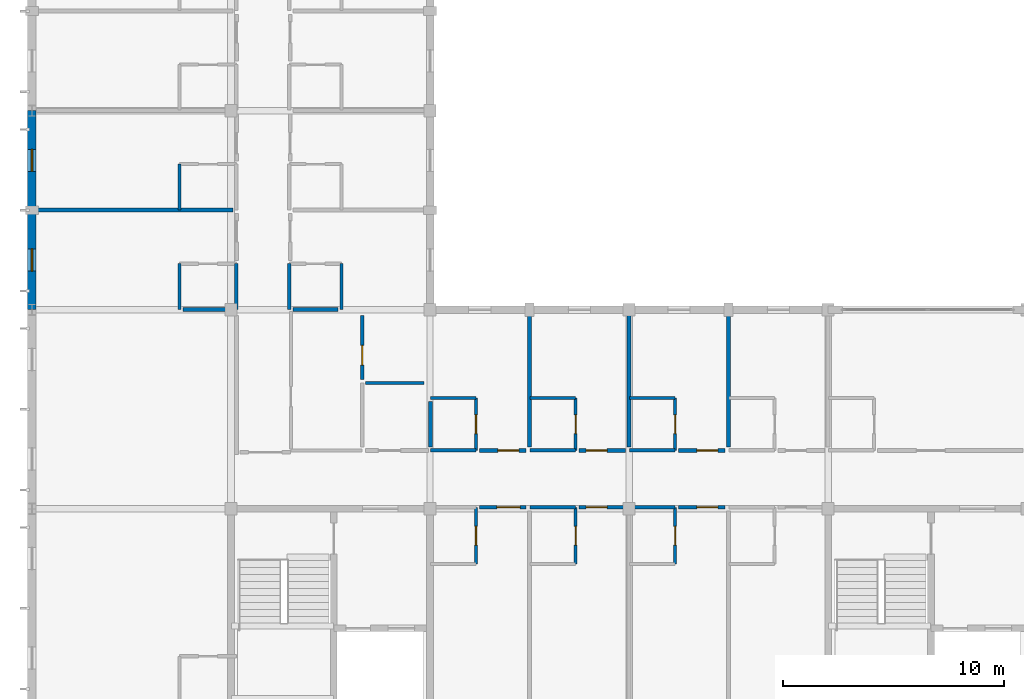
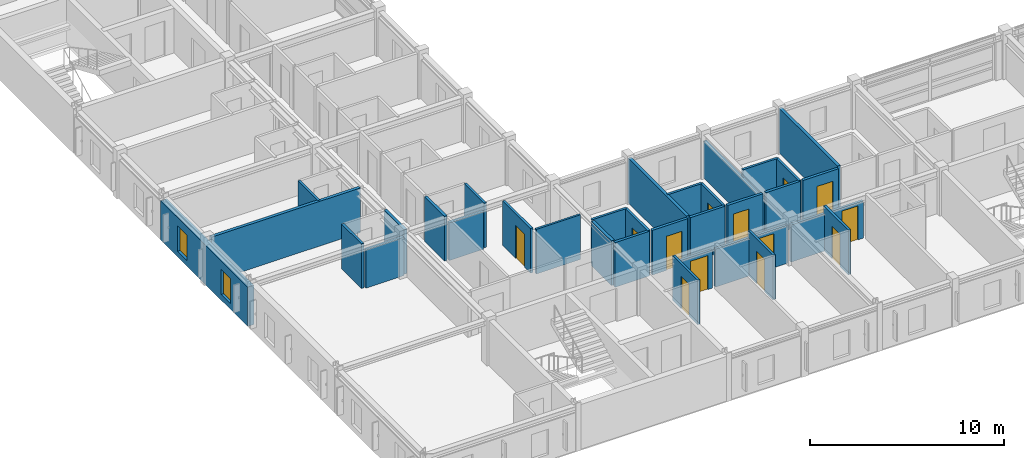
# One storey, part 15 of 30: 35 walls, 13 doors, 2 windows, 15 openings.
"""IFC4 building model written with IfcOpenShell, lengths in metres."""

from ifc_helpers import new_model, si_unit, direction, frame, frame_2d, origin, place, context, subcontext, project, spatial, rectangle, extrude, material, layer, layer_set, type_object, element, fill, save


model = new_model("IFC4")

# Units and contexts
model_context = context("Model", 3, precision=1e-05, world=origin(), true_north=direction((0.0, 1.0)))
body_context = subcontext(model_context, "Body", "Model", "MODEL_VIEW")
ifc_project = project(units=[si_unit("LENGTHUNIT", "METRE"), si_unit("AREAUNIT", "SQUARE_METRE"), si_unit("VOLUMEUNIT", "CUBIC_METRE"), si_unit("PLANEANGLEUNIT", "RADIAN"), si_unit("MASSUNIT", "GRAM", prefix="KILO")], contexts=[model_context])

# Site, building, storey
site_placement = place(None, origin())
site = spatial("IfcSite", under=ifc_project, at=site_placement, CompositionType="ELEMENT")
building_placement = place(site_placement, origin())
building = spatial("IfcBuilding", under=site, at=building_placement, Name="Palais des Congres Ocreval", CompositionType="ELEMENT")
storey_placement = place(building_placement, frame((0.0, 0.0, 14.56005859375)))
storey = spatial("IfcBuildingStorey", under=building, at=storey_placement, Name="L04", CompositionType="ELEMENT", Elevation=14.56005859375)

# Wall, opening, door
ifc_material_1 = material(Name="Moisture-resistant gypsum board")
ifc_layer_1 = layer(ifc_material_1, 0.139892578125)
ifc_layer_set_1 = layer_set([ifc_layer_1], Name="Bathroom Plumbing Chase Wall 140 Gypsum (Moisture-resistant gypsum board)")
wall_type_1 = type_object("IfcWallType", Name="Bathroom Plumbing Chase Wall 140 Gypsum", PredefinedType="PLUMBINGWALL", material=ifc_layer_set_1)
wall_1_placement = place(storey_placement, frame((20.080078125, 6.5, 0.0), z_axis=(0.0, 0.0, 1.0), x_axis=(0.0, 1.0, 0.0)))
wall_1 = element("IfcWall", 1, at=wall_1_placement, inside=storey, type_object=wall_type_1, Name="Bathroom Plumbing Wall PW03 L04", PredefinedType="PLUMBINGWALL", context=body_context, shape_type="SweptSolid", body=[
    extrude(rectangle(XDim=2.56005859375, YDim=0.139892578125, at=frame_2d((1.280029296875, 0.0))), origin(), (0.0, 0.0, 1.0), 2.81982421875),
])
opening_1_placement = place(wall_1_placement, frame((0.85498046875, 0.0, 0.0)))
opening_1 = element("IfcOpeningElement", 2, at=opening_1_placement, cuts=wall_1, Name="Opening D08", PredefinedType="OPENING", context=body_context, shape_type="SweptSolid", body=[
    extrude(rectangle(XDim=0.85009765625, YDim=2.0400390625, at=frame_2d((0.425048828125, 1.02001953125))), frame((0.0, 0.079833984375, 0.0), z_axis=(0.0, -1.0, 0.0), x_axis=(1.0, 0.0, 0.0)), (0.0, 0.0, 1.0), 0.159912109375),
])
ifc_material_2 = material(Name="Solid French oak", Category="wood")
door_type_1 = type_object("IfcDoorType", Name="En-Suite Bathroom Door 850x2040", OperationType="NOTDEFINED", PredefinedType="DOOR", material=ifc_material_2)
door_1_placement = place(opening_1_placement, origin())
door_1 = element("IfcDoor", 3, at=door_1_placement, inside=storey, type_object=door_type_1, Name="En-Suite Bathroom Door D08 L04", OperationType="SINGLE_SWING_LEFT", OverallHeight=2.0400390625, OverallWidth=0.85009765625, PredefinedType="DOOR", context=body_context, shape_type="SweptSolid", body=[
    extrude(rectangle(XDim=0.85009765625, YDim=2.0400390625, at=frame_2d((0.425048828125, 1.02001953125))), frame((0.0, 0.02490234375, 0.0), z_axis=(0.0, -1.0, 0.0), x_axis=(1.0, 0.0, 0.0)), (0.0, 0.0, 1.0), 0.050048828125),
])
fill(opening_1, door_1)

wall_2_placement = place(storey_placement, frame((24.580078125, 6.5, 0.0), z_axis=(0.0, 0.0, 1.0), x_axis=(0.0, 1.0, 0.0)))
wall_2 = element("IfcWall", 4, at=wall_2_placement, inside=storey, type_object=wall_type_1, Name="Bathroom Plumbing Wall PW03 L04", PredefinedType="PLUMBINGWALL", context=body_context, shape_type="SweptSolid", body=[
    extrude(rectangle(XDim=2.56005859375, YDim=0.139892578125, at=frame_2d((1.280029296875, 0.0))), origin(), (0.0, 0.0, 1.0), 2.81982421875),
])
opening_2_placement = place(wall_2_placement, frame((0.85498046875, 0.0, 0.0)))
opening_2 = element("IfcOpeningElement", 5, at=opening_2_placement, cuts=wall_2, Name="Opening D08", PredefinedType="OPENING", context=body_context, shape_type="SweptSolid", body=[
    extrude(rectangle(XDim=0.85009765625, YDim=2.0400390625, at=frame_2d((0.425048828125, 1.02001953125))), frame((0.0, 0.079833984375, 0.0), z_axis=(0.0, -1.0, 0.0), x_axis=(1.0, 0.0, 0.0)), (0.0, 0.0, 1.0), 0.159912109375),
])
door_2_placement = place(opening_2_placement, origin())
door_2 = element("IfcDoor", 6, at=door_2_placement, inside=storey, type_object=door_type_1, Name="En-Suite Bathroom Door D08 L04", OperationType="SINGLE_SWING_RIGHT", OverallHeight=2.0400390625, OverallWidth=0.85009765625, PredefinedType="DOOR", context=body_context, shape_type="SweptSolid", body=[
    extrude(rectangle(XDim=0.85009765625, YDim=2.0400390625, at=frame_2d((0.425048828125, 1.02001953125))), frame((0.0, 0.02490234375, 0.0), z_axis=(0.0, -1.0, 0.0), x_axis=(1.0, 0.0, 0.0)), (0.0, 0.0, 1.0), 0.050048828125),
])
fill(opening_2, door_2)

wall_3_placement = place(storey_placement, frame((29.080078125, 6.5, 0.0), z_axis=(0.0, 0.0, 1.0), x_axis=(0.0, 1.0, 0.0)))
wall_3 = element("IfcWall", 7, at=wall_3_placement, inside=storey, type_object=wall_type_1, Name="Bathroom Plumbing Wall PW03 L04", PredefinedType="PLUMBINGWALL", context=body_context, shape_type="SweptSolid", body=[
    extrude(rectangle(XDim=2.56005859375, YDim=0.139892578125, at=frame_2d((1.280029296875, 0.0))), origin(), (0.0, 0.0, 1.0), 2.81982421875),
])
opening_3_placement = place(wall_3_placement, frame((0.85498046875, 0.0, 0.0)))
opening_3 = element("IfcOpeningElement", 8, at=opening_3_placement, cuts=wall_3, Name="Opening D08", PredefinedType="OPENING", context=body_context, shape_type="SweptSolid", body=[
    extrude(rectangle(XDim=0.85009765625, YDim=2.0400390625, at=frame_2d((0.425048828125, 1.02001953125))), frame((0.0, 0.079833984375, 0.0), z_axis=(0.0, -1.0, 0.0), x_axis=(1.0, 0.0, 0.0)), (0.0, 0.0, 1.0), 0.159912109375),
])
door_3_placement = place(opening_3_placement, origin())
door_3 = element("IfcDoor", 9, at=door_3_placement, inside=storey, type_object=door_type_1, Name="En-Suite Bathroom Door D08 L04", OperationType="SINGLE_SWING_LEFT", OverallHeight=2.0400390625, OverallWidth=0.85009765625, PredefinedType="DOOR", context=body_context, shape_type="SweptSolid", body=[
    extrude(rectangle(XDim=0.85009765625, YDim=2.0400390625, at=frame_2d((0.425048828125, 1.02001953125))), frame((0.0, 0.02490234375, 0.0), z_axis=(0.0, -1.0, 0.0), x_axis=(1.0, 0.0, 0.0)), (0.0, 0.0, 1.0), 0.050048828125),
])
fill(opening_3, door_3)

wall_4_placement = place(storey_placement, frame((20.080078125, 11.639892578125, 0.0), z_axis=(0.0, 0.0, 1.0), x_axis=(0.0, 1.0, 0.0)))
wall_4 = element("IfcWall", 10, at=wall_4_placement, inside=storey, type_object=wall_type_1, Name="Bathroom Plumbing Wall PW03 L04", PredefinedType="PLUMBINGWALL", context=body_context, shape_type="SweptSolid", body=[
    extrude(rectangle(XDim=2.360107421875, YDim=0.139892578125, at=frame_2d((1.18017578125, 0.0))), origin(), (0.0, 0.0, 1.0), 2.81982421875),
])
opening_4_placement = place(wall_4_placement, frame((0.7548828125, 0.0, 0.0)))
opening_4 = element("IfcOpeningElement", 11, at=opening_4_placement, cuts=wall_4, Name="Opening D08", PredefinedType="OPENING", context=body_context, shape_type="SweptSolid", body=[
    extrude(rectangle(XDim=0.85009765625, YDim=2.0400390625, at=frame_2d((0.425048828125, 1.02001953125))), frame((0.0, 0.079833984375, 0.0), z_axis=(0.0, -1.0, 0.0), x_axis=(1.0, 0.0, 0.0)), (0.0, 0.0, 1.0), 0.159912109375),
])
door_4_placement = place(opening_4_placement, origin())
door_4 = element("IfcDoor", 12, at=door_4_placement, inside=storey, type_object=door_type_1, Name="En-Suite Bathroom Door D08 L04", OperationType="SINGLE_SWING_LEFT", OverallHeight=2.0400390625, OverallWidth=0.85009765625, PredefinedType="DOOR", context=body_context, shape_type="SweptSolid", body=[
    extrude(rectangle(XDim=0.85009765625, YDim=2.0400390625, at=frame_2d((0.425048828125, 1.02001953125))), frame((0.0, 0.02490234375, 0.0), z_axis=(0.0, -1.0, 0.0), x_axis=(1.0, 0.0, 0.0)), (0.0, 0.0, 1.0), 0.050048828125),
])
fill(opening_4, door_4)

# Wall
wall_5_placement = place(storey_placement, frame((18.02001953125, 14.0, 0.0), z_axis=(0.0, 0.0, 1.0), x_axis=(1.0, 0.0, 0.0)))
element("IfcWall", 13, at=wall_5_placement, inside=storey, type_object=wall_type_1, Name="Bathroom Plumbing Wall PW03 L04", PredefinedType="PLUMBINGWALL", context=body_context, shape_type="SweptSolid", body=[
    extrude(rectangle(XDim=2.06005859375, YDim=0.139892578125, at=frame_2d((1.030029296875, 0.0))), origin(), (0.0, 0.0, 1.0), 2.81982421875),
])

# Wall, opening, door
wall_6_placement = place(storey_placement, frame((24.580078125, 11.639892578125, 0.0), z_axis=(0.0, 0.0, 1.0), x_axis=(0.0, 1.0, 0.0)))
wall_6 = element("IfcWall", 14, at=wall_6_placement, inside=storey, type_object=wall_type_1, Name="Bathroom Plumbing Wall PW03 L04", PredefinedType="PLUMBINGWALL", context=body_context, shape_type="SweptSolid", body=[
    extrude(rectangle(XDim=2.360107421875, YDim=0.139892578125, at=frame_2d((1.18017578125, 0.0))), origin(), (0.0, 0.0, 1.0), 2.81982421875),
])
opening_5_placement = place(wall_6_placement, frame((0.7548828125, 0.0, 0.0)))
opening_5 = element("IfcOpeningElement", 15, at=opening_5_placement, cuts=wall_6, Name="Opening D08", PredefinedType="OPENING", context=body_context, shape_type="SweptSolid", body=[
    extrude(rectangle(XDim=0.85009765625, YDim=2.0400390625, at=frame_2d((0.425048828125, 1.02001953125))), frame((0.0, 0.079833984375, 0.0), z_axis=(0.0, -1.0, 0.0), x_axis=(1.0, 0.0, 0.0)), (0.0, 0.0, 1.0), 0.159912109375),
])
door_5_placement = place(opening_5_placement, origin())
door_5 = element("IfcDoor", 16, at=door_5_placement, inside=storey, type_object=door_type_1, Name="En-Suite Bathroom Door D08 L04", OperationType="SINGLE_SWING_RIGHT", OverallHeight=2.0400390625, OverallWidth=0.85009765625, PredefinedType="DOOR", context=body_context, shape_type="SweptSolid", body=[
    extrude(rectangle(XDim=0.85009765625, YDim=2.0400390625, at=frame_2d((0.425048828125, 1.02001953125))), frame((0.0, 0.02490234375, 0.0), z_axis=(0.0, -1.0, 0.0), x_axis=(1.0, 0.0, 0.0)), (0.0, 0.0, 1.0), 0.050048828125),
])
fill(opening_5, door_5)

# Wall
wall_7_placement = place(storey_placement, frame((22.52001953125, 14.0, 0.0), z_axis=(0.0, 0.0, 1.0), x_axis=(1.0, 0.0, 0.0)))
element("IfcWall", 17, at=wall_7_placement, inside=storey, type_object=wall_type_1, Name="Bathroom Plumbing Wall PW03 L04", PredefinedType="PLUMBINGWALL", context=body_context, shape_type="SweptSolid", body=[
    extrude(rectangle(XDim=2.06005859375, YDim=0.139892578125, at=frame_2d((1.030029296875, 0.0))), origin(), (0.0, 0.0, 1.0), 2.81982421875),
])

# Wall, opening, door
wall_8_placement = place(storey_placement, frame((29.080078125, 11.639892578125, 0.0), z_axis=(0.0, 0.0, 1.0), x_axis=(0.0, 1.0, 0.0)))
wall_8 = element("IfcWall", 18, at=wall_8_placement, inside=storey, type_object=wall_type_1, Name="Bathroom Plumbing Wall PW03 L04", PredefinedType="PLUMBINGWALL", context=body_context, shape_type="SweptSolid", body=[
    extrude(rectangle(XDim=2.360107421875, YDim=0.139892578125, at=frame_2d((1.18017578125, 0.0))), origin(), (0.0, 0.0, 1.0), 2.81982421875),
])
opening_6_placement = place(wall_8_placement, frame((0.7548828125, 0.0, 0.0)))
opening_6 = element("IfcOpeningElement", 19, at=opening_6_placement, cuts=wall_8, Name="Opening D08", PredefinedType="OPENING", context=body_context, shape_type="SweptSolid", body=[
    extrude(rectangle(XDim=0.85009765625, YDim=2.0400390625, at=frame_2d((0.425048828125, 1.02001953125))), frame((0.0, 0.079833984375, 0.0), z_axis=(0.0, -1.0, 0.0), x_axis=(1.0, 0.0, 0.0)), (0.0, 0.0, 1.0), 0.159912109375),
])
door_6_placement = place(opening_6_placement, origin())
door_6 = element("IfcDoor", 20, at=door_6_placement, inside=storey, type_object=door_type_1, Name="En-Suite Bathroom Door D08 L04", OperationType="SINGLE_SWING_LEFT", OverallHeight=2.0400390625, OverallWidth=0.85009765625, PredefinedType="DOOR", context=body_context, shape_type="SweptSolid", body=[
    extrude(rectangle(XDim=0.85009765625, YDim=2.0400390625, at=frame_2d((0.425048828125, 1.02001953125))), frame((0.0, 0.02490234375, 0.0), z_axis=(0.0, -1.0, 0.0), x_axis=(1.0, 0.0, 0.0)), (0.0, 0.0, 1.0), 0.050048828125),
])
fill(opening_6, door_6)

# Walls
for number, where, z_axis, x_axis, name in (
    (21, (27.02001953125, 14.0, 0.0), (0.0, 0.0, 1.0), (1.0, 0.0, 0.0), "Bathroom Plumbing Wall PW03 L04"),
    (22, (6.679931640625, 18.02001953125, 0.0), (0.0, 0.0, 1.0), (0.0, 1.0, 0.0), "Bathroom Plumbing Wall PW03 L04"),
    (23, (6.679931640625, 22.52001953125, 0.0), (0.0, 0.0, 1.0), (0.0, 1.0, 0.0), "Bathroom Plumbing Wall PW03 L04"),
    (24, (14.0, 18.02001953125, 0.0), (0.0, 0.0, 1.0), (0.0, 1.0, 0.0), "Bathroom Plumbing Wall PW03 L04"),
):
    element("IfcWall", number, at=place(storey_placement, frame(where, z_axis=z_axis, x_axis=x_axis)), inside=storey, type_object=wall_type_1, Name=name, PredefinedType="PLUMBINGWALL", context=body_context, shape_type="SweptSolid", body=[
        extrude(rectangle(XDim=2.06005859375, YDim=0.139892578125, at=frame_2d((1.030029296875, 0.0))), origin(), (0.0, 0.0, 1.0), 2.81982421875),
    ])

# Wall, opening, door
wall_9_placement = place(storey_placement, frame((14.93505859375, 14.844970703125, 0.0), z_axis=(0.0, 0.0, 1.0), x_axis=(0.0, 1.0, 0.0)))
wall_9 = element("IfcWall", 25, at=wall_9_placement, inside=storey, type_object=wall_type_1, Name="Interior Partition PW03 L04", PredefinedType="PLUMBINGWALL", context=body_context, shape_type="SweptSolid", body=[
    extrude(rectangle(XDim=2.885009765625, YDim=0.139892578125, at=frame_2d((1.4423828125, 0.0))), origin(), (0.0, 0.0, 1.0), 2.81982421875),
])
opening_7_placement = place(wall_9_placement, frame((0.646240234375, 0.0, 0.0)))
opening_7 = element("IfcOpeningElement", 26, at=opening_7_placement, cuts=wall_9, Name="Opening D09", PredefinedType="OPENING", context=body_context, shape_type="SweptSolid", body=[
    extrude(rectangle(XDim=0.89990234375, YDim=2.10009765625, at=frame_2d((0.449951171875, 1.050048828125))), frame((0.0, 0.079833984375, 0.0), z_axis=(0.0, -1.0, 0.0), x_axis=(1.0, 0.0, 0.0)), (0.0, 0.0, 1.0), 0.159912109375),
])
door_type_2 = type_object("IfcDoorType", Name="Accessible Restroom Door 900x2100", OperationType="NOTDEFINED", PredefinedType="DOOR", material=ifc_material_2)
door_7_placement = place(opening_7_placement, origin())
door_7 = element("IfcDoor", 27, at=door_7_placement, inside=storey, type_object=door_type_2, Name="Interior Door D09 L04", OperationType="SINGLE_SWING_LEFT", OverallHeight=2.10009765625, OverallWidth=0.89990234375, PredefinedType="DOOR", context=body_context, shape_type="SweptSolid", body=[
    extrude(rectangle(XDim=0.89990234375, YDim=2.10009765625, at=frame_2d((0.449951171875, 1.050048828125))), frame((0.0, 0.02490234375, 0.0), z_axis=(0.0, -1.0, 0.0), x_axis=(1.0, 0.0, 0.0)), (0.0, 0.0, 1.0), 0.050048828125),
])
fill(opening_7, door_7)

# Walls
ifc_material_3 = material(Name="Gypsum acoustic partition")
ifc_layer_2 = layer(ifc_material_3, 0.159912109375)
ifc_layer_set_2 = layer_set([ifc_layer_2], Name="Corridor Fire Partition 160 Gypsum (Gypsum acoustic partition)")
wall_type_2 = type_object("IfcWallType", Name="Corridor Fire Partition 160 Gypsum", PredefinedType="PARTITIONING", material=ifc_layer_set_2)
wall_10_placement = place(storey_placement, frame((22.52001953125, 9.06005859375, 0.0), z_axis=(0.0, 0.0, 1.0), x_axis=(1.0, 0.0, 0.0)))
element("IfcWall", 28, at=wall_10_placement, inside=storey, type_object=wall_type_2, Name="Corridor Partition IW03 L04", PredefinedType="PARTITIONING", context=body_context, shape_type="SweptSolid", body=[
    extrude(rectangle(XDim=2.06005859375, YDim=0.159912109375, at=frame_2d((1.030029296875, 0.0))), origin(), (0.0, 0.0, 1.0), 2.389892578125),
])
wall_11_placement = place(storey_placement, frame((27.02001953125, 9.06005859375, 0.0), z_axis=(0.0, 0.0, 1.0), x_axis=(1.0, 0.0, 0.0)))
element("IfcWall", 29, at=wall_11_placement, inside=storey, type_object=wall_type_2, Name="Corridor Partition IW03 L04", PredefinedType="PARTITIONING", context=body_context, shape_type="SweptSolid", body=[
    extrude(rectangle(XDim=2.06005859375, YDim=0.159912109375, at=frame_2d((1.030029296875, 0.0))), origin(), (0.0, 0.0, 1.0), 2.33984375),
])
for number, where, z_axis, x_axis, name in (
    (30, (18.02001953125, 11.639892578125, 0.0), (0.0, 0.0, 1.0), (1.0, 0.0, 0.0), "Corridor Partition IW03 L04"),
    (31, (22.52001953125, 11.639892578125, 0.0), (0.0, 0.0, 1.0), (1.0, 0.0, 0.0), "Corridor Partition IW03 L04"),
    (32, (27.02001953125, 11.639892578125, 0.0), (0.0, 0.0, 1.0), (1.0, 0.0, 0.0), "Corridor Partition IW03 L04"),
    (33, (9.239990234375, 18.02001953125, 0.0), (0.0, 0.0, 1.0), (0.0, 1.0, 0.0), "Corridor Partition IW03 L04"),
    (34, (11.639892578125, 18.02001953125, 0.0), (0.0, 0.0, 1.0), (0.0, 1.0, 0.0), "Corridor Partition IW03 L04"),
):
    element("IfcWall", number, at=place(storey_placement, frame(where, z_axis=z_axis, x_axis=x_axis)), inside=storey, type_object=wall_type_2, Name=name, PredefinedType="PARTITIONING", context=body_context, shape_type="SweptSolid", body=[
        extrude(rectangle(XDim=2.06005859375, YDim=0.159912109375, at=frame_2d((1.030029296875, 0.0))), origin(), (0.0, 0.0, 1.0), 2.81982421875),
    ])

# Wall, opening, door
wall_12_placement = place(storey_placement, frame((20.235107421875, 9.06494140625, 0.0), z_axis=(0.0, 0.0, 1.0), x_axis=(1.0, 0.0, 0.0)))
wall_12 = element("IfcWall", 35, at=wall_12_placement, inside=storey, type_object=wall_type_2, Name="Interior Partition IW03 L04", PredefinedType="PARTITIONING", context=body_context, shape_type="SweptSolid", body=[
    extrude(rectangle(XDim=2.10986328125, YDim=0.159912109375, at=frame_2d((1.054931640625, 0.0))), origin(), (0.0, 0.0, 1.0), 2.389892578125),
])
opening_8_placement = place(wall_12_placement, frame((0.783203125, 0.0, 0.0)))
opening_8 = element("IfcOpeningElement", 36, at=opening_8_placement, cuts=wall_12, Name="Opening D06", PredefinedType="OPENING", context=body_context, shape_type="SweptSolid", body=[
    extrude(rectangle(XDim=1.050048828125, YDim=2.14990234375, at=frame_2d((0.52490234375, 1.074951171875))), frame((0.0, 0.08984375, 0.0), z_axis=(0.0, -1.0, 0.0), x_axis=(1.0, 0.0, 0.0)), (0.0, 0.0, 1.0), 0.179931640625),
])
door_type_3 = type_object("IfcDoorType", Name="Accessible Guestroom Door 1050x2150", OperationType="NOTDEFINED", PredefinedType="DOOR", material=ifc_material_2)
door_8_placement = place(opening_8_placement, origin())
door_8 = element("IfcDoor", 37, at=door_8_placement, inside=storey, type_object=door_type_3, Name="Interior Door D06 L04", OperationType="SINGLE_SWING_RIGHT", OverallHeight=2.14990234375, OverallWidth=1.050048828125, PredefinedType="DOOR", context=body_context, shape_type="SweptSolid", body=[
    extrude(rectangle(XDim=1.050048828125, YDim=2.14990234375, at=frame_2d((0.52490234375, 1.074951171875))), frame((0.0, 0.02490234375, 0.0), z_axis=(0.0, -1.0, 0.0), x_axis=(1.0, 0.0, 0.0)), (0.0, 0.0, 1.0), 0.050048828125),
])
fill(opening_8, door_8)

wall_13_placement = place(storey_placement, frame((24.735107421875, 9.06494140625, 0.0), z_axis=(0.0, 0.0, 1.0), x_axis=(1.0, 0.0, 0.0)))
wall_13 = element("IfcWall", 38, at=wall_13_placement, inside=storey, type_object=wall_type_2, Name="Interior Partition IW03 L04", PredefinedType="PARTITIONING", context=body_context, shape_type="SweptSolid", body=[
    extrude(rectangle(XDim=2.10986328125, YDim=0.159912109375, at=frame_2d((1.054931640625, 0.0))), origin(), (0.0, 0.0, 1.0), 2.389892578125),
])
opening_9_placement = place(wall_13_placement, frame((0.326904296875, 0.0, 0.0)))
opening_9 = element("IfcOpeningElement", 39, at=opening_9_placement, cuts=wall_13, Name="Opening D05", PredefinedType="OPENING", context=body_context, shape_type="SweptSolid", body=[
    extrude(rectangle(XDim=0.949951171875, YDim=2.14990234375, at=frame_2d((0.47509765625, 1.074951171875))), frame((0.0, 0.08984375, 0.0), z_axis=(0.0, -1.0, 0.0), x_axis=(1.0, 0.0, 0.0)), (0.0, 0.0, 1.0), 0.179931640625),
])
door_type_4 = type_object("IfcDoorType", Name="Hotel Guestroom Entrance Door 950x2150", OperationType="NOTDEFINED", PredefinedType="DOOR", material=ifc_material_2)
door_9_placement = place(opening_9_placement, origin())
door_9 = element("IfcDoor", 40, at=door_9_placement, inside=storey, type_object=door_type_4, Name="Interior Door D05 L04", OperationType="SINGLE_SWING_LEFT", OverallHeight=2.14990234375, OverallWidth=0.949951171875, PredefinedType="DOOR", context=body_context, shape_type="SweptSolid", body=[
    extrude(rectangle(XDim=0.949951171875, YDim=2.14990234375, at=frame_2d((0.47509765625, 1.074951171875))), frame((0.0, 0.02490234375, 0.0), z_axis=(0.0, -1.0, 0.0), x_axis=(1.0, 0.0, 0.0)), (0.0, 0.0, 1.0), 0.050048828125),
])
fill(opening_9, door_9)

wall_14_placement = place(storey_placement, frame((29.235107421875, 9.06494140625, 0.0), z_axis=(0.0, 0.0, 1.0), x_axis=(1.0, 0.0, 0.0)))
wall_14 = element("IfcWall", 41, at=wall_14_placement, inside=storey, type_object=wall_type_2, Name="Interior Partition IW03 L04", PredefinedType="PARTITIONING", context=body_context, shape_type="SweptSolid", body=[
    extrude(rectangle(XDim=2.10986328125, YDim=0.159912109375, at=frame_2d((1.054931640625, 0.0))), origin(), (0.0, 0.0, 1.0), 2.33984375),
])
opening_10_placement = place(wall_14_placement, frame((0.833251953125, 0.0, 0.0)))
opening_10 = element("IfcOpeningElement", 42, at=opening_10_placement, cuts=wall_14, Name="Opening D05", PredefinedType="OPENING", context=body_context, shape_type="SweptSolid", body=[
    extrude(rectangle(XDim=0.949951171875, YDim=2.14990234375, at=frame_2d((0.47509765625, 1.074951171875))), frame((0.0, 0.08984375, 0.0), z_axis=(0.0, -1.0, 0.0), x_axis=(1.0, 0.0, 0.0)), (0.0, 0.0, 1.0), 0.179931640625),
])
door_10_placement = place(opening_10_placement, origin())
door_10 = element("IfcDoor", 43, at=door_10_placement, inside=storey, type_object=door_type_4, Name="Interior Door D05 L04", OperationType="SINGLE_SWING_RIGHT", OverallHeight=2.14990234375, OverallWidth=0.949951171875, PredefinedType="DOOR", context=body_context, shape_type="SweptSolid", body=[
    extrude(rectangle(XDim=0.949951171875, YDim=2.14990234375, at=frame_2d((0.47509765625, 1.074951171875))), frame((0.0, 0.02490234375, 0.0), z_axis=(0.0, -1.0, 0.0), x_axis=(1.0, 0.0, 0.0)), (0.0, 0.0, 1.0), 0.050048828125),
])
fill(opening_10, door_10)

wall_15_placement = place(storey_placement, frame((20.235107421875, 11.635009765625, 0.0), z_axis=(0.0, 0.0, 1.0), x_axis=(1.0, 0.0, 0.0)))
wall_15 = element("IfcWall", 44, at=wall_15_placement, inside=storey, type_object=wall_type_2, Name="Interior Partition IW03 L04", PredefinedType="PARTITIONING", context=body_context, shape_type="SweptSolid", body=[
    extrude(rectangle(XDim=2.10986328125, YDim=0.159912109375, at=frame_2d((1.054931640625, 0.0))), origin(), (0.0, 0.0, 1.0), 2.81982421875),
])
opening_11_placement = place(wall_15_placement, frame((0.833251953125, 0.0, 0.0)))
opening_11 = element("IfcOpeningElement", 45, at=opening_11_placement, cuts=wall_15, Name="Opening D05", PredefinedType="OPENING", context=body_context, shape_type="SweptSolid", body=[
    extrude(rectangle(XDim=0.949951171875, YDim=2.14990234375, at=frame_2d((0.47509765625, 1.074951171875))), frame((0.0, 0.08984375, 0.0), z_axis=(0.0, -1.0, 0.0), x_axis=(1.0, 0.0, 0.0)), (0.0, 0.0, 1.0), 0.179931640625),
])
door_11_placement = place(opening_11_placement, origin())
door_11 = element("IfcDoor", 46, at=door_11_placement, inside=storey, type_object=door_type_4, Name="Interior Door D05 L04", OperationType="SINGLE_SWING_LEFT", OverallHeight=2.14990234375, OverallWidth=0.949951171875, PredefinedType="DOOR", context=body_context, shape_type="SweptSolid", body=[
    extrude(rectangle(XDim=0.949951171875, YDim=2.14990234375, at=frame_2d((0.47509765625, 1.074951171875))), frame((0.0, 0.02490234375, 0.0), z_axis=(0.0, -1.0, 0.0), x_axis=(1.0, 0.0, 0.0)), (0.0, 0.0, 1.0), 0.050048828125),
])
fill(opening_11, door_11)

wall_16_placement = place(storey_placement, frame((24.735107421875, 11.635009765625, 0.0), z_axis=(0.0, 0.0, 1.0), x_axis=(1.0, 0.0, 0.0)))
wall_16 = element("IfcWall", 47, at=wall_16_placement, inside=storey, type_object=wall_type_2, Name="Interior Partition IW03 L04", PredefinedType="PARTITIONING", context=body_context, shape_type="SweptSolid", body=[
    extrude(rectangle(XDim=2.10986328125, YDim=0.159912109375, at=frame_2d((1.054931640625, 0.0))), origin(), (0.0, 0.0, 1.0), 2.81982421875),
])
opening_12_placement = place(wall_16_placement, frame((0.326904296875, 0.0, 0.0)))
opening_12 = element("IfcOpeningElement", 48, at=opening_12_placement, cuts=wall_16, Name="Opening D05", PredefinedType="OPENING", context=body_context, shape_type="SweptSolid", body=[
    extrude(rectangle(XDim=0.949951171875, YDim=2.14990234375, at=frame_2d((0.47509765625, 1.074951171875))), frame((0.0, 0.08984375, 0.0), z_axis=(0.0, -1.0, 0.0), x_axis=(1.0, 0.0, 0.0)), (0.0, 0.0, 1.0), 0.179931640625),
])
door_12_placement = place(opening_12_placement, origin())
door_12 = element("IfcDoor", 49, at=door_12_placement, inside=storey, type_object=door_type_4, Name="Interior Door D05 L04", OperationType="SINGLE_SWING_RIGHT", OverallHeight=2.14990234375, OverallWidth=0.949951171875, PredefinedType="DOOR", context=body_context, shape_type="SweptSolid", body=[
    extrude(rectangle(XDim=0.949951171875, YDim=2.14990234375, at=frame_2d((0.47509765625, 1.074951171875))), frame((0.0, 0.02490234375, 0.0), z_axis=(0.0, -1.0, 0.0), x_axis=(1.0, 0.0, 0.0)), (0.0, 0.0, 1.0), 0.050048828125),
])
fill(opening_12, door_12)

wall_17_placement = place(storey_placement, frame((29.235107421875, 11.635009765625, 0.0), z_axis=(0.0, 0.0, 1.0), x_axis=(1.0, 0.0, 0.0)))
wall_17 = element("IfcWall", 50, at=wall_17_placement, inside=storey, type_object=wall_type_2, Name="Interior Partition IW03 L04", PredefinedType="PARTITIONING", context=body_context, shape_type="SweptSolid", body=[
    extrude(rectangle(XDim=2.10986328125, YDim=0.159912109375, at=frame_2d((1.054931640625, 0.0))), origin(), (0.0, 0.0, 1.0), 2.81982421875),
])
opening_13_placement = place(wall_17_placement, frame((0.833251953125, 0.0, 0.0)))
opening_13 = element("IfcOpeningElement", 51, at=opening_13_placement, cuts=wall_17, Name="Opening D05", PredefinedType="OPENING", context=body_context, shape_type="SweptSolid", body=[
    extrude(rectangle(XDim=0.949951171875, YDim=2.14990234375, at=frame_2d((0.47509765625, 1.074951171875))), frame((0.0, 0.08984375, 0.0), z_axis=(0.0, -1.0, 0.0), x_axis=(1.0, 0.0, 0.0)), (0.0, 0.0, 1.0), 0.179931640625),
])
door_13_placement = place(opening_13_placement, origin())
door_13 = element("IfcDoor", 52, at=door_13_placement, inside=storey, type_object=door_type_4, Name="Interior Door D05 L04", OperationType="SINGLE_SWING_LEFT", OverallHeight=2.14990234375, OverallWidth=0.949951171875, PredefinedType="DOOR", context=body_context, shape_type="SweptSolid", body=[
    extrude(rectangle(XDim=0.949951171875, YDim=2.14990234375, at=frame_2d((0.47509765625, 1.074951171875))), frame((0.0, 0.02490234375, 0.0), z_axis=(0.0, -1.0, 0.0), x_axis=(1.0, 0.0, 0.0)), (0.0, 0.0, 1.0), 0.050048828125),
])
fill(opening_13, door_13)

# Walls
ifc_layer_3 = layer(ifc_material_3, 0.179931640625)
ifc_layer_set_3 = layer_set([ifc_layer_3], Name="Hotel Inter-Room Acoustic Partition 180 Gypsum (Gypsum acoustic partition)")
wall_type_3 = type_object("IfcWallType", Name="Hotel Inter-Room Acoustic Partition 180 Gypsum", PredefinedType="PARTITIONING", material=ifc_layer_set_3)
wall_18_placement = place(storey_placement, frame((22.5, 11.794921875, 0.0), z_axis=(0.0, 0.0, 1.0), x_axis=(0.0, 1.0, 0.0)))
element("IfcWall", 53, at=wall_18_placement, inside=storey, type_object=wall_type_3, Name="Hotel Party Partition IW02 L04", PredefinedType="PARTITIONING", context=body_context, shape_type="SweptSolid", body=[
    extrude(rectangle(XDim=6.030029296875, YDim=0.179931640625, at=frame_2d((3.01513671875, 0.0))), origin(), (0.0, 0.0, 1.0), 2.81982421875),
])
wall_19_placement = place(storey_placement, frame((27.0, 11.794921875, 0.0), z_axis=(0.0, 0.0, 1.0), x_axis=(0.0, 1.0, 0.0)))
element("IfcWall", 54, at=wall_19_placement, inside=storey, type_object=wall_type_3, Name="Hotel Party Partition IW02 L04", PredefinedType="PARTITIONING", context=body_context, shape_type="SweptSolid", body=[
    extrude(rectangle(XDim=6.030029296875, YDim=0.179931640625, at=frame_2d((3.01513671875, 0.0))), origin(), (0.0, 0.0, 1.0), 2.33984375),
])
wall_20_placement = place(storey_placement, frame((31.5, 11.794921875, 0.0), z_axis=(0.0, 0.0, 1.0), x_axis=(0.0, 1.0, 0.0)))
element("IfcWall", 55, at=wall_20_placement, inside=storey, type_object=wall_type_3, Name="Hotel Party Partition IW02 L04", PredefinedType="PARTITIONING", context=body_context, shape_type="SweptSolid", body=[
    extrude(rectangle(XDim=6.030029296875, YDim=0.179931640625, at=frame_2d((3.01513671875, 0.0))), origin(), (0.0, 0.0, 1.0), 2.81982421875),
])
wall_21_placement = place(storey_placement, frame((0.195068359375, 22.5, 0.0), z_axis=(0.0, 0.0, 1.0), x_axis=(1.0, 0.0, 0.0)))
element("IfcWall", 56, at=wall_21_placement, inside=storey, type_object=wall_type_3, Name="Hotel Party Partition IW02 L04", PredefinedType="PARTITIONING", context=body_context, shape_type="SweptSolid", body=[
    extrude(rectangle(XDim=8.889892578125, YDim=0.179931640625, at=frame_2d((4.44482421875, 0.0))), origin(), (0.0, 0.0, 1.0), 2.81982421875),
])
wall_22_placement = place(storey_placement, frame((18.02001953125, 11.794921875, 0.0), z_axis=(0.0, 0.0, 1.0), x_axis=(0.0, 1.0, 0.0)))
element("IfcWall", 57, at=wall_22_placement, inside=storey, type_object=wall_type_3, Name="Bathroom Party Closure Wall IW02 L04", PredefinedType="PARTITIONING", context=body_context, shape_type="SweptSolid", body=[
    extrude(rectangle(XDim=2.050048828125, YDim=0.179931640625, at=frame_2d((1.02490234375, 0.0))), origin(), (0.0, 0.0, 1.0), 2.81982421875),
])
wall_23_placement = place(storey_placement, frame((6.8349609375, 18.02001953125, 0.0), z_axis=(0.0, 0.0, 1.0), x_axis=(1.0, 0.0, 0.0)))
element("IfcWall", 58, at=wall_23_placement, inside=storey, type_object=wall_type_3, Name="Bathroom Party Closure Wall IW02 L04", PredefinedType="PARTITIONING", context=body_context, shape_type="SweptSolid", body=[
    extrude(rectangle(XDim=2.260009765625, YDim=0.179931640625, at=frame_2d((1.1298828125, 0.0))), origin(), (0.0, 0.0, 1.0), 2.419921875),
])
wall_24_placement = place(storey_placement, frame((11.794921875, 18.02001953125, 0.0), z_axis=(0.0, 0.0, 1.0), x_axis=(1.0, 0.0, 0.0)))
element("IfcWall", 59, at=wall_24_placement, inside=storey, type_object=wall_type_3, Name="Bathroom Party Closure Wall IW02 L04", PredefinedType="PARTITIONING", context=body_context, shape_type="SweptSolid", body=[
    extrude(rectangle(XDim=2.050048828125, YDim=0.179931640625, at=frame_2d((1.02490234375, 0.0))), origin(), (0.0, 0.0, 1.0), 2.3798828125),
])

# Wall, openings, windows
ifc_material_4 = material(Name="Concrete C40/50", Category="concrete")
ifc_layer_4 = layer(ifc_material_4, 0.3798828125)
ifc_layer_set_4 = layer_set([ifc_layer_4], Name="Lutetian Limestone Street Wall 380 Concrete C40/50")
wall_type_4 = type_object("IfcWallType", Name="Lutetian Limestone Street Wall 380 Concrete C40/50", PredefinedType="SOLIDWALL", material=ifc_layer_set_4)
wall_25_placement = place(storey_placement, frame((0.0, 18.0, 0.0), z_axis=(0.0, 0.0, 1.0), x_axis=(0.0, 1.0, 0.0)))
wall_25 = element("IfcWall", 60, at=wall_25_placement, inside=storey, type_object=wall_type_4, Name="Exterior Wall EW03 L04", PredefinedType="SOLIDWALL", context=body_context, shape_type="SweptSolid", body=[
    extrude(rectangle(XDim=9.0, YDim=0.3798828125, at=frame_2d((4.5, 0.0))), origin(), (0.0, 0.0, 1.0), 2.47998046875),
])
opening_14_placement = place(wall_25_placement, frame((1.75, 0.0, 0.35009765625)))
opening_14 = element("IfcOpeningElement", 61, at=opening_14_placement, cuts=wall_25, Name="Opening WN18", PredefinedType="OPENING", context=body_context, shape_type="SweptSolid", body=[
    extrude(rectangle(XDim=1.0, YDim=1.60009765625, at=frame_2d((0.5, 0.800048828125))), frame((0.0, 0.199951171875, 0.0), z_axis=(0.0, -1.0, 0.0), x_axis=(1.0, 0.0, 0.0)), (0.0, 0.0, 1.0), 0.39990234375),
])
opening_15_placement = place(wall_25_placement, frame((6.25, 0.0, 0.35009765625)))
opening_15 = element("IfcOpeningElement", 62, at=opening_15_placement, cuts=wall_25, Name="Opening WN18", PredefinedType="OPENING", context=body_context, shape_type="SweptSolid", body=[
    extrude(rectangle(XDim=1.0, YDim=1.60009765625, at=frame_2d((0.5, 0.800048828125))), frame((0.0, 0.199951171875, 0.0), z_axis=(0.0, -1.0, 0.0), x_axis=(1.0, 0.0, 0.0)), (0.0, 0.0, 1.0), 0.39990234375),
])
ifc_material_5 = material(Name="Anodized bronze aluminium and low-E glass", Category="glass")
window_type = type_object("IfcWindowType", Name="Stair and Lobby Daylight Window 1000x1600", PartitioningType="SINGLE_PANEL", PredefinedType="WINDOW", material=ifc_material_5)
window_1_placement = place(opening_14_placement, origin())
window_1 = element("IfcWindow", 63, at=window_1_placement, inside=storey, type_object=window_type, Name="Hotel Facade Window WN18", OverallHeight=1.60009765625, OverallWidth=1.0, PartitioningType="SINGLE_PANEL", PredefinedType="WINDOW", context=body_context, shape_type="SweptSolid", body=[
    extrude(rectangle(XDim=1.0, YDim=1.60009765625, at=frame_2d((0.5, 0.800048828125))), frame((0.0, 0.030029296875, 0.0), z_axis=(0.0, -1.0, 0.0), x_axis=(1.0, 0.0, 0.0)), (0.0, 0.0, 1.0), 0.06005859375),
])
fill(opening_14, window_1)
window_2_placement = place(opening_15_placement, origin())
window_2 = element("IfcWindow", 64, at=window_2_placement, inside=storey, type_object=window_type, Name="Hotel Facade Window WN18", OverallHeight=1.60009765625, OverallWidth=1.0, PartitioningType="SINGLE_PANEL", PredefinedType="WINDOW", context=body_context, shape_type="SweptSolid", body=[
    extrude(rectangle(XDim=1.0, YDim=1.60009765625, at=frame_2d((0.5, 0.800048828125))), frame((0.0, 0.030029296875, 0.0), z_axis=(0.0, -1.0, 0.0), x_axis=(1.0, 0.0, 0.0)), (0.0, 0.0, 1.0), 0.06005859375),
])
fill(opening_15, window_2)

# Wall
ifc_material_6 = material(Name="Gypsum board partition")
ifc_layer_5 = layer(ifc_material_6, 0.1201171875)
ifc_layer_set_5 = layer_set([ifc_layer_5], Name="Suite Subdivision Partition 120 Gypsum (Gypsum board partition)")
wall_type_5 = type_object("IfcWallType", Name="Suite Subdivision Partition 120 Gypsum", PredefinedType="PARTITIONING", material=ifc_layer_set_5)
wall_26_placement = place(storey_placement, frame((15.090087890625, 14.68994140625, 0.0), z_axis=(0.0, 0.0, 1.0), x_axis=(1.0, 0.0, 0.0)))
element("IfcWall", 65, at=wall_26_placement, inside=storey, type_object=wall_type_5, Name="Interior Partition IW04 L04", PredefinedType="PARTITIONING", context=body_context, shape_type="SweptSolid", body=[
    extrude(rectangle(XDim=2.639892578125, YDim=0.1201171875, at=frame_2d((1.31982421875, 0.0))), origin(), (0.0, 0.0, 1.0), 2.81982421875),
])

save(model, "model.ifc")
